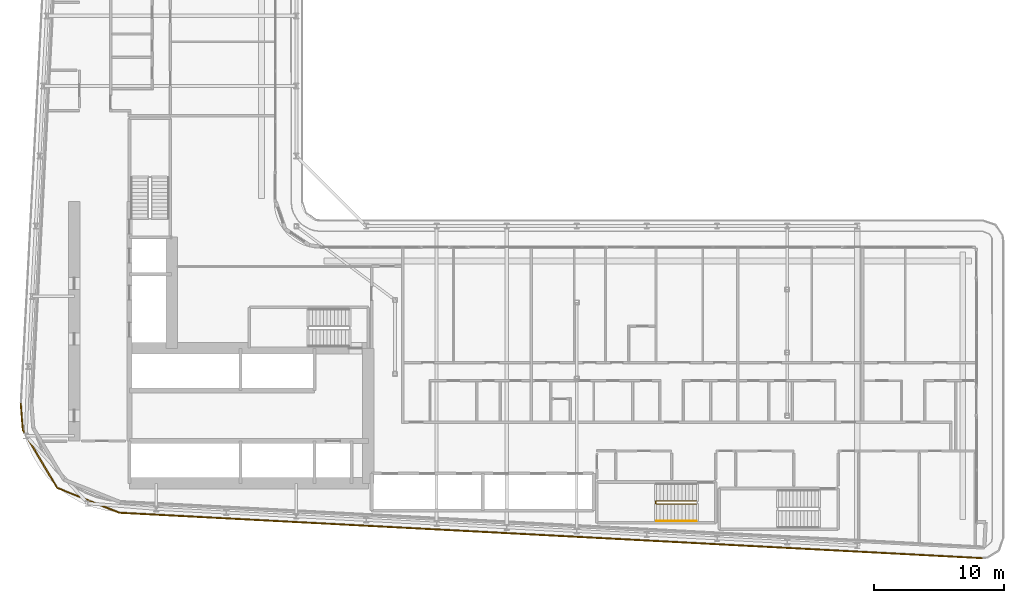
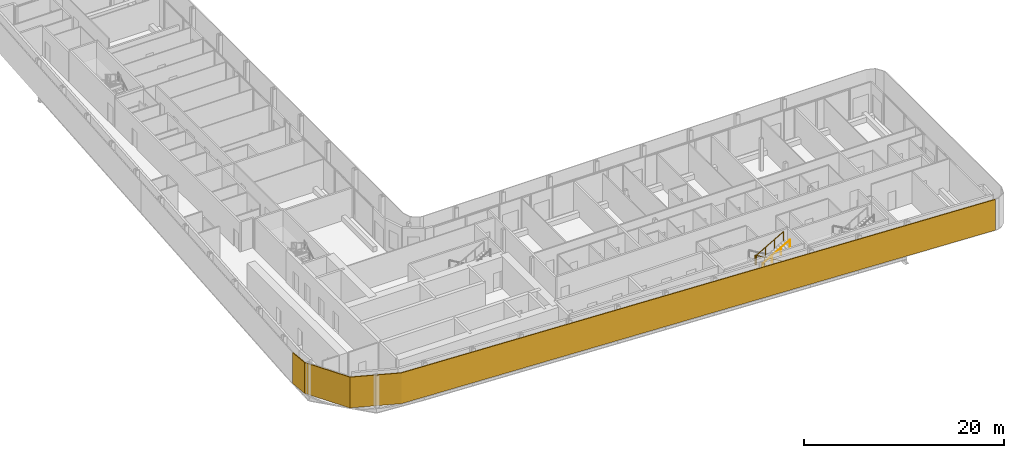
# One storey, part 24 of 28: 2 railings, 1 shading device.
"""IFC4 building model written with IfcOpenShell, lengths in metres."""

from ifc_helpers import new_model, si_unit, direction, frame, origin, origin_2d, place, context, subcontext, project, spatial, polyline, circle, outline, extrude, material, layer, layer_set, type_object, element, save


model = new_model("IFC4")

# Units and contexts
model_context = context("Model", 3, precision=1e-05, world=origin(), true_north=direction((0.0, 1.0)))
body_context = subcontext(model_context, "Body", "Model", "MODEL_VIEW")
ifc_project = project(units=[si_unit("LENGTHUNIT", "METRE"), si_unit("AREAUNIT", "SQUARE_METRE"), si_unit("VOLUMEUNIT", "CUBIC_METRE"), si_unit("PLANEANGLEUNIT", "RADIAN"), si_unit("MASSUNIT", "GRAM", prefix="KILO")], contexts=[model_context])

# Site, building, storey
site_placement = place(None, origin())
site = spatial("IfcSite", under=ifc_project, at=site_placement, CompositionType="ELEMENT")
building_placement = place(site_placement, origin())
building = spatial("IfcBuilding", under=site, at=building_placement, Name="Kheshtan School and Residences Tower", CompositionType="ELEMENT")
storey_placement = place(building_placement, frame((0.0, 0.0, 129.199951171875)))
storey = spatial("IfcBuildingStorey", under=building, at=storey_placement, Name="L30", CompositionType="ELEMENT", Elevation=129.199951171875)

# Shading device
ifc_material_1 = material(Name="Terracotta baguette, extruded ceramic", Category="masonry")
ifc_layer = layer(ifc_material_1, 0.10009765625)
ifc_layer_set = layer_set([ifc_layer], Name="Ledge screen, terracotta baguettes")
shading_device_type = type_object("IfcShadingDeviceType", Name="Ledge screen, terracotta baguettes", PredefinedType="USERDEFINED", material=ifc_layer_set)
shading_device_placement = place(storey_placement, origin())
element("IfcShadingDevice", 1, at=shading_device_placement, inside=storey, type_object=shading_device_type, Name="Screen L30 3", ObjectType="BAGUETTE", PredefinedType="USERDEFINED", context=body_context, shape_type="SweptSolid", body=[
    extrude(outline(polyline([(100.4208984375, 20.0830078125), (33.989013671875, 23.580078125), (29.2119140625, 25.486083984375), (26.583984375, 29.906982421875), (26.419921875, 31.989013671875), (26.320068359375, 31.98095703125), (26.486083984375, 29.8759765625), (29.14306640625, 25.406005859375), (33.967041015625, 23.48095703125), (100.416015625, 19.98291015625), (100.4208984375, 20.0830078125)])), origin(), (0.0, 0.0, 1.0), 3.75),
])

# Railings
ifc_material_2 = material(Name="Stainless steel balustrade", Category="steel")
railing_type_1 = type_object("IfcRailingType", Name="Stair guard 1100", PredefinedType="GUARDRAIL", material=ifc_material_2)
railing_1_placement = place(storey_placement, frame((78.409912109375, 24.449951171875, 0.16259765625)))
element("IfcRailing", 2, at=railing_1_placement, inside=storey, type_object=railing_type_1, Name="L30 ST5 stair guard 1", PredefinedType="GUARDRAIL", context=body_context, shape_type="SweptSolid", body=[
    extrude(circle(Radius=0.02392578125, at=origin_2d()), frame((0.0, 0.0, 1.076171875), z_axis=(-0.864903211148, 0.0, 0.501938676878), x_axis=(0.0, -1.0, 0.0)), (0.0, 0.0, 1.0), 3.560791015625),
    extrude(circle(Radius=0.02392578125, at=origin_2d()), frame((-3.079833984375, 0.0, 2.86328125), z_axis=(-0.707106781187, -0.707106781187, 0.0), x_axis=(0.707106781187, -0.707106781187, 0.0)), (0.0, 0.0, 1.0), 0.07080078125),
    extrude(circle(Radius=0.02392578125, at=origin_2d()), frame((-3.1298828125, -0.050048828125, 2.86328125), z_axis=(0.0, -1.0, 0.0), x_axis=(1.0, 0.0, 0.0)), (0.0, 0.0, 1.0), 0.14990234375),
    extrude(circle(Radius=0.02392578125, at=origin_2d()), frame((-3.1298828125, -0.199951171875, 2.86328125), z_axis=(0.282227285176, -0.282227285176, 0.916894497205), x_axis=(0.707106781187, 0.707106781187, 0.0)), (0.0, 0.0, 1.0), 0.17724609375),
    extrude(circle(Radius=0.02392578125, at=origin_2d()), frame((-3.079833984375, -0.25, 3.02587890625), z_axis=(0.864873446163, 0.0, 0.501989962173), x_axis=(0.0, 1.0, 0.0)), (0.0, 0.0, 1.0), 3.56103515625),
    extrude(circle(Radius=0.02099609375, at=origin_2d()), origin(), (0.0, 0.0, 1.0), 1.052001953125),
    extrude(circle(Radius=0.02099609375, at=origin_2d()), frame((-1.026611328125, 0.0, 0.595703125)), (0.0, 0.0, 1.0), 1.052001953125),
    extrude(circle(Radius=0.02099609375, at=origin_2d()), frame((-2.05322265625, 0.0, 1.191650390625)), (0.0, 0.0, 1.0), 1.052001953125),
    extrude(circle(Radius=0.02099609375, at=origin_2d()), frame((-3.079833984375, 0.0, 1.787353515625)), (0.0, 0.0, 1.0), 1.052001953125),
    extrude(circle(Radius=0.02099609375, at=origin_2d()), frame((-3.1298828125, -0.050048828125, 1.787353515625)), (0.0, 0.0, 1.0), 1.052001953125),
    extrude(circle(Radius=0.02099609375, at=origin_2d()), frame((-3.1298828125, -0.199951171875, 1.787353515625)), (0.0, 0.0, 1.0), 1.052001953125),
    extrude(circle(Radius=0.02099609375, at=origin_2d()), frame((-3.079833984375, -0.25, 1.949951171875)), (0.0, 0.0, 1.0), 1.052001953125),
    extrude(circle(Radius=0.02099609375, at=origin_2d()), frame((-2.05322265625, -0.25, 2.5458984375)), (0.0, 0.0, 1.0), 1.052001953125),
    extrude(circle(Radius=0.02099609375, at=origin_2d()), frame((-1.026611328125, -0.25, 3.1416015625)), (0.0, 0.0, 1.0), 1.052001953125),
    extrude(circle(Radius=0.02099609375, at=origin_2d()), frame((0.0, -0.25, 3.737548828125)), (0.0, 0.0, 1.0), 1.052001953125),
])
ifc_material_3 = material(Name="Stainless steel handrail", Category="steel")
railing_type_2 = type_object("IfcRailingType", Name="Stair handrail 900", PredefinedType="HANDRAIL", material=ifc_material_3)
railing_2_placement = place(storey_placement, frame((75.330078125, 22.89990234375, 2.112548828125)))
element("IfcRailing", 3, at=railing_2_placement, inside=storey, type_object=railing_type_2, Name="L30 ST5 stair handrail 2", PredefinedType="HANDRAIL", context=body_context, shape_type="SweptSolid", body=[
    extrude(circle(Radius=0.02392578125, at=origin_2d()), frame((0.0, 0.0, 0.8759765625), z_axis=(0.864873446163, 0.0, 0.501989962173), x_axis=(0.0, 1.0, 0.0)), (0.0, 0.0, 1.0), 3.56103515625),
    extrude(circle(Radius=0.02099609375, at=origin_2d()), origin(), (0.0, 0.0, 1.0), 0.851806640625),
    extrude(circle(Radius=0.02099609375, at=origin_2d()), frame((1.026611328125, 0.0, 0.595947265625)), (0.0, 0.0, 1.0), 0.851806640625),
    extrude(circle(Radius=0.02099609375, at=origin_2d()), frame((2.05322265625, 0.0, 1.191650390625)), (0.0, 0.0, 1.0), 0.851806640625),
    extrude(circle(Radius=0.02099609375, at=origin_2d()), frame((3.079833984375, 0.0, 1.78759765625)), (0.0, 0.0, 1.0), 0.851806640625),
])

save(model, "model.ifc")
